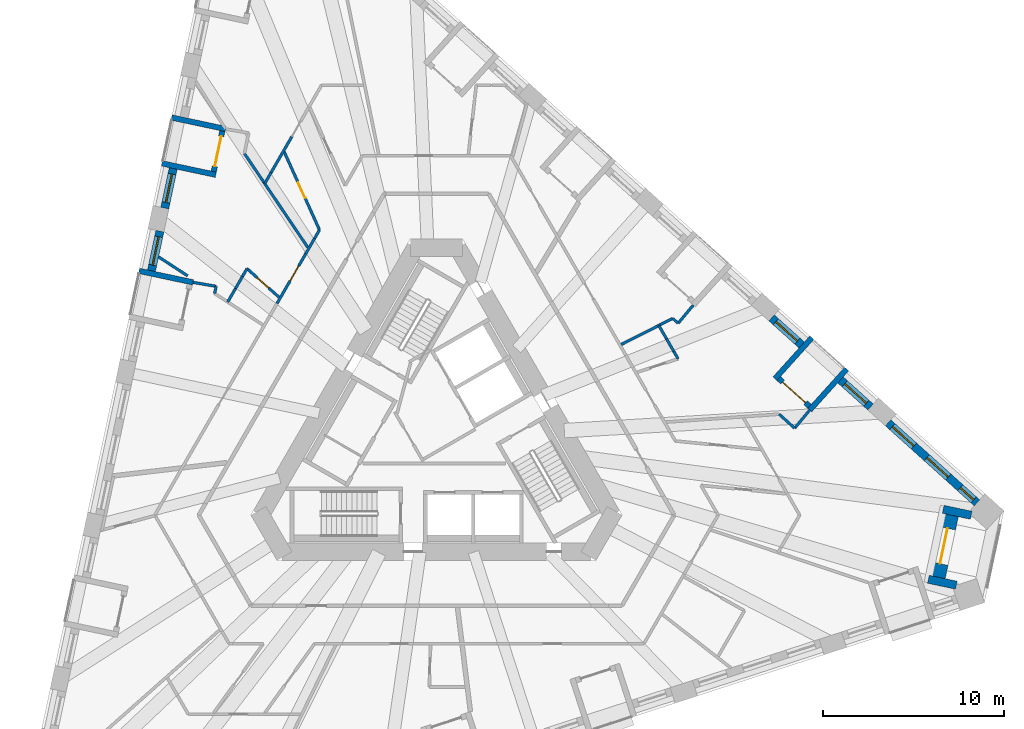
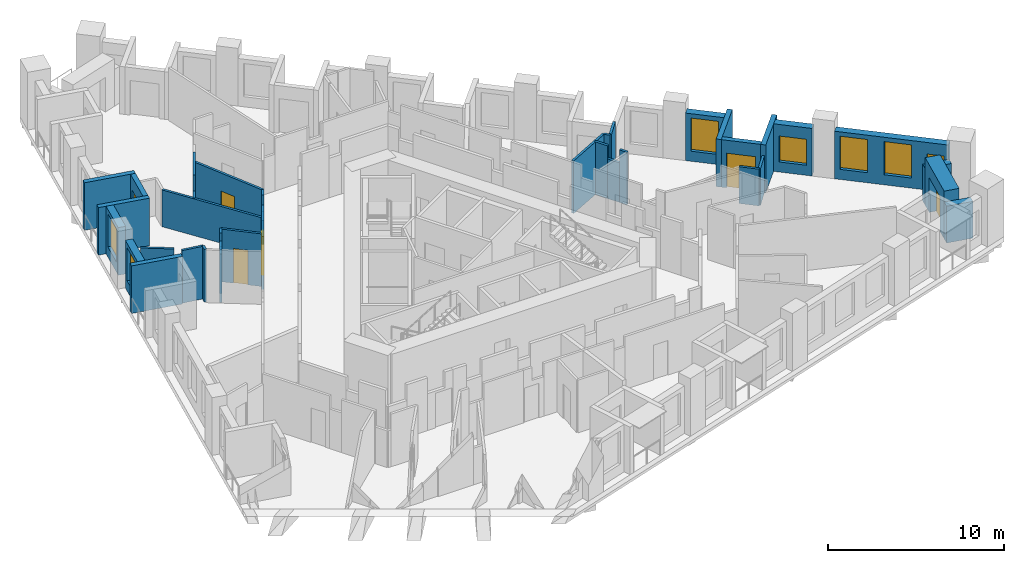
# One storey, part 7 of 13: 37 walls, 7 windows, 6 doors, 13 openings.
"""IFC4 building model written with IfcOpenShell, lengths in metres."""

from ifc_helpers import new_model, si_unit, direction, frame, frame_2d, origin, place, context, subcontext, project, spatial, rectangle, extrude, material, layer, layer_set, type_object, element, fill, save


model = new_model("IFC4")

# Units and contexts
model_context = context("Model", 3, precision=1e-05, world=origin(), true_north=direction((0.0, 1.0)))
body_context = subcontext(model_context, "Body", "Model", "MODEL_VIEW")
ifc_project = project(units=[si_unit("LENGTHUNIT", "METRE"), si_unit("AREAUNIT", "SQUARE_METRE"), si_unit("VOLUMEUNIT", "CUBIC_METRE"), si_unit("PLANEANGLEUNIT", "RADIAN"), si_unit("MASSUNIT", "GRAM", prefix="KILO")], contexts=[model_context])

# Site, building, storey
site_placement = place(None, origin())
site = spatial("IfcSite", under=ifc_project, at=site_placement, CompositionType="ELEMENT")
building_placement = place(site_placement, origin())
building = spatial("IfcBuilding", under=site, at=building_placement, Name="Tramontana Tower", CompositionType="ELEMENT")
storey_placement = place(building_placement, frame((0.0, 0.0, 104.39990234375)))
storey = spatial("IfcBuildingStorey", under=building, at=storey_placement, Name="L23", CompositionType="ELEMENT", Elevation=104.39990234375)

# Wall, opening, window
ifc_material_1 = material(Name="Precast concrete 60 MPa", Category="concrete")
ifc_layer_1 = layer(ifc_material_1, 0.449951171875)
ifc_layer_set_1 = layer_set([ifc_layer_1], Name="Precast concrete 60 MPa, 450 mm")
wall_type_1 = type_object("IfcWallType", Name="EW1 Stone-faced precast wall 450", PredefinedType="SOLIDWALL", material=ifc_layer_set_1)
wall_1_placement = place(storey_placement, frame((-14.545654296875, 14.896728515625, 0.0), z_axis=(0.0, 0.0, 1.0), x_axis=(-0.207941001029, -0.978141370197, 0.0)))
wall_1 = element("IfcWall", 1, at=wall_1_placement, inside=storey, type_object=wall_type_1, Name="External wall L23 face 0 bay 2", PredefinedType="SOLIDWALL", context=body_context, shape_type="SweptSolid", body=[
    extrude(rectangle(XDim=2.236572265625, YDim=0.449951171875, at=frame_2d((1.1181640625, 0.0))), origin(), (0.0, 0.0, 1.0), 3.300048828125),
])
opening_1_placement = place(wall_1_placement, frame((0.318359375, 0.0, 0.699951171875)))
opening_1 = element("IfcOpeningElement", 2, at=opening_1_placement, cuts=wall_1, Name="Opening M1", PredefinedType="OPENING", context=body_context, shape_type="SweptSolid", body=[
    extrude(rectangle(XDim=1.60009765625, YDim=2.300048828125, at=frame_2d((0.800048828125, 1.14990234375))), frame((0.0, 0.23486328125, 0.0), z_axis=(0.0, -1.0, 0.0), x_axis=(1.0, 0.0, 0.0)), (0.0, 0.0, 1.0), 0.469970703125),
])
ifc_material_2 = material(Name="Aluminum frame, double glazing unit", Category="aluminium")
window_type_1 = type_object("IfcWindowType", Name="M1 Window 1.6 x 2.3", PartitioningType="SINGLE_PANEL", PredefinedType="WINDOW", material=ifc_material_2)
window_1_placement = place(opening_1_placement, origin())
window_1 = element("IfcWindow", 3, at=window_1_placement, inside=storey, type_object=window_type_1, Name="Window M1 L23 face 0 module 6", OverallHeight=2.300048828125, OverallWidth=1.60009765625, PartitioningType="SINGLE_PANEL", PredefinedType="WINDOW", context=body_context, shape_type="SweptSolid", body=[
    extrude(rectangle(XDim=1.60009765625, YDim=2.300048828125, at=frame_2d((0.800048828125, 1.14990234375))), frame((0.0, 0.030029296875, 0.0), z_axis=(0.0, -1.0, 0.0), x_axis=(1.0, 0.0, 0.0)), (0.0, 0.0, 1.0), 0.06005859375),
])
fill(opening_1, window_1)

wall_2_placement = place(storey_placement, frame((-15.281005859375, 11.437255859375, 0.0), z_axis=(0.0, 0.0, 1.0), x_axis=(-0.207941001029, -0.978141370197, 0.0)))
wall_2 = element("IfcWall", 4, at=wall_2_placement, inside=storey, type_object=wall_type_1, Name="External wall L23 face 0 bay 3", PredefinedType="SOLIDWALL", context=body_context, shape_type="SweptSolid", body=[
    extrude(rectangle(XDim=2.236572265625, YDim=0.449951171875, at=frame_2d((1.1181640625, 0.0))), origin(), (0.0, 0.0, 1.0), 3.300048828125),
])
opening_2_placement = place(wall_2_placement, frame((0.318359375, 0.0, 0.699951171875)))
opening_2 = element("IfcOpeningElement", 5, at=opening_2_placement, cuts=wall_2, Name="Opening M1", PredefinedType="OPENING", context=body_context, shape_type="SweptSolid", body=[
    extrude(rectangle(XDim=1.60009765625, YDim=2.300048828125, at=frame_2d((0.800048828125, 1.14990234375))), frame((0.0, 0.23486328125, 0.0), z_axis=(0.0, -1.0, 0.0), x_axis=(1.0, 0.0, 0.0)), (0.0, 0.0, 1.0), 0.469970703125),
])
window_2_placement = place(opening_2_placement, origin())
window_2 = element("IfcWindow", 6, at=window_2_placement, inside=storey, type_object=window_type_1, Name="Window M1 L23 face 0 module 7", OverallHeight=2.300048828125, OverallWidth=1.60009765625, PartitioningType="SINGLE_PANEL", PredefinedType="WINDOW", context=body_context, shape_type="SweptSolid", body=[
    extrude(rectangle(XDim=1.60009765625, YDim=2.300048828125, at=frame_2d((0.800048828125, 1.14990234375))), frame((0.0, 0.030029296875, 0.0), z_axis=(0.0, -1.0, 0.0), x_axis=(1.0, 0.0, 0.0)), (0.0, 0.0, 1.0), 0.06005859375),
])
fill(opening_2, window_2)

# Wall, openings, windows
wall_3_placement = place(storey_placement, frame((29.85986328125, -3.57275390625, 0.0), z_axis=(0.0, 0.0, 1.0), x_axis=(-0.743161908204, 0.669111633582, 0.0)))
wall_3 = element("IfcWall", 7, at=wall_3_placement, inside=storey, type_object=wall_type_1, Name="External wall L23 face 2 bay 1", PredefinedType="SOLIDWALL", context=body_context, shape_type="SweptSolid", body=[
    extrude(rectangle(XDim=6.6103515625, YDim=0.449951171875, at=frame_2d((3.30517578125, 0.0))), origin(), (0.0, 0.0, 1.0), 3.300048828125),
])
opening_3_placement = place(wall_3_placement, frame((0.243408203125, 0.0, 0.699951171875)))
opening_3 = element("IfcOpeningElement", 8, at=opening_3_placement, cuts=wall_3, Name="Opening N1L", PredefinedType="OPENING", context=body_context, shape_type="SweptSolid", body=[
    extrude(rectangle(XDim=1.0, YDim=1.800048828125, at=frame_2d((0.5, 0.89990234375))), frame((0.0, 0.23486328125, 0.0), z_axis=(0.0, -1.0, 0.0), x_axis=(1.0, 0.0, 0.0)), (0.0, 0.0, 1.0), 0.469970703125),
])
opening_4_placement = place(wall_3_placement, frame((2.130126953125, 0.0, 0.699951171875)))
opening_4 = element("IfcOpeningElement", 9, at=opening_4_placement, cuts=wall_3, Name="Opening M1", PredefinedType="OPENING", context=body_context, shape_type="SweptSolid", body=[
    extrude(rectangle(XDim=1.60009765625, YDim=2.300048828125, at=frame_2d((0.800048828125, 1.14990234375))), frame((0.0, 0.23486328125, 0.0), z_axis=(0.0, -1.0, 0.0), x_axis=(1.0, 0.0, 0.0)), (0.0, 0.0, 1.0), 0.469970703125),
])
opening_5_placement = place(wall_3_placement, frame((4.69189453125, 0.0, 0.699951171875)))
opening_5 = element("IfcOpeningElement", 10, at=opening_5_placement, cuts=wall_3, Name="Opening M1", PredefinedType="OPENING", context=body_context, shape_type="SweptSolid", body=[
    extrude(rectangle(XDim=1.60009765625, YDim=2.300048828125, at=frame_2d((0.800048828125, 1.14990234375))), frame((0.0, 0.23486328125, 0.0), z_axis=(0.0, -1.0, 0.0), x_axis=(1.0, 0.0, 0.0)), (0.0, 0.0, 1.0), 0.469970703125),
])
window_3_placement = place(opening_4_placement, origin())
window_3 = element("IfcWindow", 11, at=window_3_placement, inside=storey, type_object=window_type_1, Name="Window M1 L23 face 2 module 2", OverallHeight=2.300048828125, OverallWidth=1.60009765625, PartitioningType="SINGLE_PANEL", PredefinedType="WINDOW", context=body_context, shape_type="SweptSolid", body=[
    extrude(rectangle(XDim=1.60009765625, YDim=2.300048828125, at=frame_2d((0.800048828125, 1.14990234375))), frame((0.0, 0.030029296875, 0.0), z_axis=(0.0, -1.0, 0.0), x_axis=(1.0, 0.0, 0.0)), (0.0, 0.0, 1.0), 0.06005859375),
])
fill(opening_4, window_3)
window_4_placement = place(opening_5_placement, origin())
window_4 = element("IfcWindow", 12, at=window_4_placement, inside=storey, type_object=window_type_1, Name="Window M1 L23 face 2 module 3", OverallHeight=2.300048828125, OverallWidth=1.60009765625, PartitioningType="SINGLE_PANEL", PredefinedType="WINDOW", context=body_context, shape_type="SweptSolid", body=[
    extrude(rectangle(XDim=1.60009765625, YDim=2.300048828125, at=frame_2d((0.800048828125, 1.14990234375))), frame((0.0, 0.030029296875, 0.0), z_axis=(0.0, -1.0, 0.0), x_axis=(1.0, 0.0, 0.0)), (0.0, 0.0, 1.0), 0.06005859375),
])
fill(opening_5, window_4)
ifc_material_3 = material(Name="Aluminum frame, double glazing unit", Category="aluminium")
window_type_2 = type_object("IfcWindowType", Name="N1L Window 1 x 1.8", PartitioningType="SINGLE_PANEL", PredefinedType="WINDOW", material=ifc_material_3)
window_5_placement = place(opening_3_placement, origin())
window_5 = element("IfcWindow", 13, at=window_5_placement, inside=storey, type_object=window_type_2, Name="Window N1L L23 face 2 module 1", OverallHeight=1.800048828125, OverallWidth=1.0, PartitioningType="SINGLE_PANEL", PredefinedType="WINDOW", context=body_context, shape_type="SweptSolid", body=[
    extrude(rectangle(XDim=1.0, YDim=1.800048828125, at=frame_2d((0.5, 0.89990234375))), frame((0.0, 0.030029296875, 0.0), z_axis=(0.0, -1.0, 0.0), x_axis=(1.0, 0.0, 0.0)), (0.0, 0.0, 1.0), 0.06005859375),
])
fill(opening_3, window_5)

# Wall, opening, window
wall_4_placement = place(storey_placement, frame((23.981201171875, 1.72021484375, 0.0), z_axis=(0.0, 0.0, 1.0), x_axis=(-0.743142151309, 0.669133576311, 0.0)))
wall_4 = element("IfcWall", 14, at=wall_4_placement, inside=storey, type_object=wall_type_1, Name="External wall L23 face 2 bay 2", PredefinedType="SOLIDWALL", context=body_context, shape_type="SweptSolid", body=[
    extrude(rectangle(XDim=2.236572265625, YDim=0.449951171875, at=frame_2d((1.1181640625, 0.0))), origin(), (0.0, 0.0, 1.0), 3.300048828125),
])
opening_6_placement = place(wall_4_placement, frame((0.318359375, 0.0, 0.699951171875)))
opening_6 = element("IfcOpeningElement", 15, at=opening_6_placement, cuts=wall_4, Name="Opening M1L", PredefinedType="OPENING", context=body_context, shape_type="SweptSolid", body=[
    extrude(rectangle(XDim=1.60009765625, YDim=1.800048828125, at=frame_2d((0.800048828125, 0.89990234375))), frame((0.0, 0.23486328125, 0.0), z_axis=(0.0, -1.0, 0.0), x_axis=(1.0, 0.0, 0.0)), (0.0, 0.0, 1.0), 0.469970703125),
])
ifc_material_4 = material(Name="Aluminum frame, double glazing unit", Category="aluminium")
window_type_3 = type_object("IfcWindowType", Name="M1L Window 1.6 x 1.8", PartitioningType="SINGLE_PANEL", PredefinedType="WINDOW", material=ifc_material_4)
window_6_placement = place(opening_6_placement, origin())
window_6 = element("IfcWindow", 16, at=window_6_placement, inside=storey, type_object=window_type_3, Name="Window M1L L23 face 2 module 4", OverallHeight=1.800048828125, OverallWidth=1.60009765625, PartitioningType="SINGLE_PANEL", PredefinedType="WINDOW", context=body_context, shape_type="SweptSolid", body=[
    extrude(rectangle(XDim=1.60009765625, YDim=1.800048828125, at=frame_2d((0.800048828125, 0.89990234375))), frame((0.0, 0.030029296875, 0.0), z_axis=(0.0, -1.0, 0.0), x_axis=(1.0, 0.0, 0.0)), (0.0, 0.0, 1.0), 0.06005859375),
])
fill(opening_6, window_6)

wall_5_placement = place(storey_placement, frame((20.173828125, 5.1484375, 0.0), z_axis=(0.0, 0.0, 1.0), x_axis=(-0.743136746477, 0.669139578889, 0.0)))
wall_5 = element("IfcWall", 17, at=wall_5_placement, inside=storey, type_object=wall_type_1, Name="External wall L23 face 2 bay 2", PredefinedType="SOLIDWALL", context=body_context, shape_type="SweptSolid", body=[
    extrude(rectangle(XDim=2.237060546875, YDim=0.449951171875, at=frame_2d((1.11865234375, 0.0))), origin(), (0.0, 0.0, 1.0), 3.300048828125),
])
opening_7_placement = place(wall_5_placement, frame((0.318359375, 0.0, 0.699951171875)))
opening_7 = element("IfcOpeningElement", 18, at=opening_7_placement, cuts=wall_5, Name="Opening M1", PredefinedType="OPENING", context=body_context, shape_type="SweptSolid", body=[
    extrude(rectangle(XDim=1.60009765625, YDim=2.300048828125, at=frame_2d((0.800048828125, 1.14990234375))), frame((0.0, 0.23486328125, 0.0), z_axis=(0.0, -1.0, 0.0), x_axis=(1.0, 0.0, 0.0)), (0.0, 0.0, 1.0), 0.469970703125),
])
window_7_placement = place(opening_7_placement, origin())
window_7 = element("IfcWindow", 19, at=window_7_placement, inside=storey, type_object=window_type_1, Name="Window M1 L23 face 2 module 6", OverallHeight=2.300048828125, OverallWidth=1.60009765625, PartitioningType="SINGLE_PANEL", PredefinedType="WINDOW", context=body_context, shape_type="SweptSolid", body=[
    extrude(rectangle(XDim=1.60009765625, YDim=2.300048828125, at=frame_2d((0.800048828125, 1.14990234375))), frame((0.0, 0.030029296875, 0.0), z_axis=(0.0, -1.0, 0.0), x_axis=(1.0, 0.0, 0.0)), (0.0, 0.0, 1.0), 0.06005859375),
])
fill(opening_7, window_7)

# Walls
for number, where, z_axis, x_axis, name in (
    (20, (29.5390625, -4.259521484375, 0.0), (0.0, 0.0, 1.0), (-0.978142738706, 0.207934563547, 0.0), "Corner loggia side wall L23 K22l"),
    (21, (28.7177734375, -8.123291015625, 0.0), (0.0, 0.0, 1.0), (-0.978142738706, 0.207934563547, 0.0), "Corner loggia side wall L23 K22r"),
):
    element("IfcWall", number, at=place(storey_placement, frame(where, z_axis=z_axis, x_axis=x_axis)), inside=storey, type_object=wall_type_1, Name=name, PredefinedType="SOLIDWALL", context=body_context, shape_type="SweptSolid", body=[
        extrude(rectangle(XDim=1.5791015625, YDim=0.449951171875, at=frame_2d((0.78955078125, 0.0))), origin(), (0.0, 0.0, 1.0), 2.550048828125),
    ])

# Wall, opening, door
ifc_material_5 = material(Name="Precast concrete 60 MPa", Category="concrete")
ifc_layer_2 = layer(ifc_material_5, 0.89990234375)
ifc_layer_set_2 = layer_set([ifc_layer_2], Name="EW2 Stone-faced corner loggia wall 900")
wall_type_2 = type_object("IfcWallType", Name="EW2 Stone-faced corner loggia wall 900", PredefinedType="SOLIDWALL", material=ifc_layer_set_2)
wall_6_placement = place(storey_placement, frame((28.3876953125, -4.244873046875, 0.0), z_axis=(0.0, 0.0, 1.0), x_axis=(-0.207866264069, -0.978157255385, 0.0)))
wall_6 = element("IfcWall", 22, at=wall_6_placement, inside=storey, type_object=wall_type_2, Name="Corner loggia wall L23 K22", PredefinedType="SOLIDWALL", context=body_context, shape_type="SweptSolid", body=[
    extrude(rectangle(XDim=3.5, YDim=0.89990234375, at=frame_2d((1.75, 0.0))), origin(), (0.0, 0.0, 1.0), 3.300048828125),
])
opening_8_placement = place(wall_6_placement, frame((0.75, 0.0, 0.0)))
opening_8 = element("IfcOpeningElement", 23, at=opening_8_placement, cuts=wall_6, Name="Opening BD-22C", PredefinedType="OPENING", context=body_context, shape_type="SweptSolid", body=[
    extrude(rectangle(XDim=2.0, YDim=2.39990234375, at=frame_2d((1.0, 1.199951171875))), frame((0.0, 0.4599609375, 0.0), z_axis=(0.0, -1.0, 0.0), x_axis=(1.0, 0.0, 0.0)), (0.0, 0.0, 1.0), 0.919921875),
])
ifc_material_6 = material(Name="Aluminum frame, double glazing unit", Category="aluminium")
door_type_1 = type_object("IfcDoorType", Name="BC1 Sliding door 2 x 2.4", OperationType="SLIDING_TO_LEFT", PredefinedType="DOOR", material=ifc_material_6)
door_1_placement = place(opening_8_placement, origin())
door_1 = element("IfcDoor", 24, at=door_1_placement, inside=storey, type_object=door_type_1, Name="Corner loggia door L23 K22", OperationType="SLIDING_TO_LEFT", OverallHeight=2.39990234375, OverallWidth=2.0, PredefinedType="DOOR", context=body_context, shape_type="SweptSolid", body=[
    extrude(rectangle(XDim=2.0, YDim=2.39990234375, at=frame_2d((1.0, 1.199951171875))), frame((0.0, 0.02490234375, 0.0), z_axis=(0.0, -1.0, 0.0), x_axis=(1.0, 0.0, 0.0)), (0.0, 0.0, 1.0), 0.050048828125),
])
fill(opening_8, door_1)

ifc_material_7 = material(Name="Precast concrete 60 MPa", Category="concrete")
ifc_layer_3 = layer(ifc_material_7, 0.300048828125)
ifc_layer_set_3 = layer_set([ifc_layer_3], Name="LW1 Stone-faced loggia wall 300")
wall_type_3 = type_object("IfcWallType", Name="LW1 Stone-faced loggia wall 300", PredefinedType="SOLIDWALL", material=ifc_layer_set_3)
wall_7_placement = place(storey_placement, frame((-11.83154296875, 16.96435546875, 0.0), z_axis=(0.0, 0.0, 1.0), x_axis=(-0.207866417042, -0.978157222877, 0.0)))
wall_7 = element("IfcWall", 25, at=wall_7_placement, inside=storey, type_object=wall_type_3, Name="Loggia wall L23 G2S0.4", PredefinedType="SOLIDWALL", context=body_context, shape_type="SweptSolid", body=[
    extrude(rectangle(XDim=2.286865234375, YDim=0.300048828125, at=frame_2d((1.1435546875, 0.0))), origin(), (0.0, 0.0, 1.0), 3.300048828125),
])
opening_9_placement = place(wall_7_placement, frame((0.29345703125, 0.0, 0.0)))
opening_9 = element("IfcOpeningElement", 26, at=opening_9_placement, cuts=wall_7, Name="Opening BD-2S0-04", PredefinedType="OPENING", context=body_context, shape_type="SweptSolid", body=[
    extrude(rectangle(XDim=1.699951171875, YDim=2.39990234375, at=frame_2d((0.85009765625, 1.199951171875))), frame((0.0, 0.159912109375, 0.0), z_axis=(0.0, -1.0, 0.0), x_axis=(1.0, 0.0, 0.0)), (0.0, 0.0, 1.0), 0.320068359375),
])
ifc_material_8 = material(Name="Aluminum frame, double glazing unit", Category="aluminium")
door_type_2 = type_object("IfcDoorType", Name="BD1 Sliding door 1.7 x 2.4", OperationType="SLIDING_TO_LEFT", PredefinedType="DOOR", material=ifc_material_8)
door_2_placement = place(opening_9_placement, origin())
door_2 = element("IfcDoor", 27, at=door_2_placement, inside=storey, type_object=door_type_2, Name="Loggia door L23 G2S0.4", OperationType="SLIDING_TO_LEFT", OverallHeight=2.39990234375, OverallWidth=1.699951171875, PredefinedType="DOOR", context=body_context, shape_type="SweptSolid", body=[
    extrude(rectangle(XDim=1.699951171875, YDim=2.39990234375, at=frame_2d((0.85009765625, 1.199951171875))), frame((0.0, 0.02490234375, 0.0), z_axis=(0.0, -1.0, 0.0), x_axis=(1.0, 0.0, 0.0)), (0.0, 0.0, 1.0), 0.050048828125),
])
fill(opening_9, door_2)

# Walls
for number, where, z_axis, x_axis, name in (
    (28, (-14.636962890625, 17.714111328125, 0.0), (0.0, 0.0, 1.0), (0.978138503145, -0.207954487003, 0.0), "Loggia return L23 G2S0.4a"),
    (29, (-15.1748046875, 15.183837890625, 0.0), (0.0, 0.0, 1.0), (0.978138503145, -0.207954487003, 0.0), "Loggia return L23 G2S0.4b"),
    (30, (-16.4375, 9.242919921875, 0.0), (0.0, 0.0, 1.0), (0.978154782045, -0.207877902534, 0.0), "Loggia return L23 G2S0.7a"),
):
    element("IfcWall", number, at=place(storey_placement, frame(where, z_axis=z_axis, x_axis=x_axis)), inside=storey, type_object=wall_type_3, Name=name, PredefinedType="SOLIDWALL", context=body_context, shape_type="SweptSolid", body=[
        extrude(rectangle(XDim=3.050048828125, YDim=0.300048828125, at=frame_2d((1.52490234375, 0.0))), origin(), (0.0, 0.0, 1.0), 3.300048828125),
    ])

# Wall, opening, door
wall_8_placement = place(storey_placement, frame((20.607421875, 1.76416015625, 0.0), z_axis=(0.0, 0.0, 1.0), x_axis=(-0.743182653308, 0.669088591909, 0.0)))
wall_8 = element("IfcWall", 31, at=wall_8_placement, inside=storey, type_object=wall_type_3, Name="Loggia wall L23 G2S2.4", PredefinedType="SOLIDWALL", context=body_context, shape_type="SweptSolid", body=[
    extrude(rectangle(XDim=2.28662109375, YDim=0.300048828125, at=frame_2d((1.143310546875, 0.0))), origin(), (0.0, 0.0, 1.0), 3.300048828125),
])
opening_10_placement = place(wall_8_placement, frame((0.29345703125, 0.0, 0.0)))
opening_10 = element("IfcOpeningElement", 32, at=opening_10_placement, cuts=wall_8, Name="Opening BD-2S2-04", PredefinedType="OPENING", context=body_context, shape_type="SweptSolid", body=[
    extrude(rectangle(XDim=1.699951171875, YDim=2.39990234375, at=frame_2d((0.85009765625, 1.199951171875))), frame((0.0, 0.159912109375, 0.0), z_axis=(0.0, -1.0, 0.0), x_axis=(1.0, 0.0, 0.0)), (0.0, 0.0, 1.0), 0.320068359375),
])
door_3_placement = place(opening_10_placement, origin())
door_3 = element("IfcDoor", 33, at=door_3_placement, inside=storey, type_object=door_type_2, Name="Loggia door L23 G2S2.4", OperationType="SLIDING_TO_LEFT", OverallHeight=2.39990234375, OverallWidth=1.699951171875, PredefinedType="DOOR", context=body_context, shape_type="SweptSolid", body=[
    extrude(rectangle(XDim=1.699951171875, YDim=2.39990234375, at=frame_2d((0.85009765625, 1.199951171875))), frame((0.0, 0.02490234375, 0.0), z_axis=(0.0, -1.0, 0.0), x_axis=(1.0, 0.0, 0.0)), (0.0, 0.0, 1.0), 0.050048828125),
])
fill(opening_10, door_3)

# Walls
for number, where, z_axis, x_axis, name in (
    (34, (22.6591796875, 3.81884765625, 0.0), (0.0, 0.0, 1.0), (-0.669115082961, -0.743158802514, 0.0), "Loggia return L23 G2S2.4a"),
    (35, (20.73681640625, 5.5498046875, 0.0), (0.0, 0.0, 1.0), (-0.669115082961, -0.743158802514, 0.0), "Loggia return L23 G2S2.4b"),
):
    element("IfcWall", number, at=place(storey_placement, frame(where, z_axis=z_axis, x_axis=x_axis)), inside=storey, type_object=wall_type_3, Name=name, PredefinedType="SOLIDWALL", context=body_context, shape_type="SweptSolid", body=[
        extrude(rectangle(XDim=3.050048828125, YDim=0.300048828125, at=frame_2d((1.52490234375, 0.0))), origin(), (0.0, 0.0, 1.0), 3.300048828125),
    ])

# Wall, opening, door
ifc_material_9 = material(Name="Gypsum board partition")
ifc_layer_4 = layer(ifc_material_9, 0.14990234375)
ifc_layer_set_4 = layer_set([ifc_layer_4], Name="PARTITION 150")
wall_type_4 = type_object("IfcWallType", Name="PARTITION 150", PredefinedType="PARTITIONING", material=ifc_layer_set_4)
wall_9_placement = place(storey_placement, frame((-8.809326171875, 7.44189453125, 0.0), z_axis=(0.0, 0.0, 1.0), x_axis=(0.500003371769, 0.866023457084, 0.0)))
wall_9 = element("IfcWall", 36, at=wall_9_placement, inside=storey, type_object=wall_type_4, Name="Wall v21-pw02-5", PredefinedType="PARTITIONING", context=body_context, shape_type="SweptSolid", body=[
    extrude(rectangle(XDim=3.15966796875, YDim=0.14990234375, at=frame_2d((1.579833984375, 0.0))), origin(), (0.0, 0.0, 1.0), 3.650146484375),
])
opening_11_placement = place(wall_9_placement, frame((1.43994140625, 0.0, 0.0)))
opening_11 = element("IfcOpeningElement", 37, at=opening_11_placement, cuts=wall_9, Name="Opening B2B-06", PredefinedType="OPENING", context=body_context, shape_type="SweptSolid", body=[
    extrude(rectangle(XDim=0.949951171875, YDim=2.39990234375, at=frame_2d((0.47509765625, 1.199951171875))), frame((0.0, 0.0849609375, 0.0), z_axis=(0.0, -1.0, 0.0), x_axis=(1.0, 0.0, 0.0)), (0.0, 0.0, 1.0), 0.169921875),
])
ifc_material_10 = material(Name="Painted timber", Category="wood")
door_type_3 = type_object("IfcDoorType", Name="DOOR ROOM 950", OperationType="SINGLE_SWING_LEFT", PredefinedType="DOOR", material=ifc_material_10)
door_4_placement = place(opening_11_placement, origin())
door_4 = element("IfcDoor", 38, at=door_4_placement, inside=storey, type_object=door_type_3, Name="Door B2B-06", OperationType="SINGLE_SWING_RIGHT", OverallHeight=2.39990234375, OverallWidth=0.949951171875, PredefinedType="DOOR", context=body_context, shape_type="SweptSolid", body=[
    extrude(rectangle(XDim=0.949951171875, YDim=2.39990234375, at=frame_2d((0.47509765625, 1.199951171875))), frame((0.0, 0.02490234375, 0.0), z_axis=(0.0, -1.0, 0.0), x_axis=(1.0, 0.0, 0.0)), (0.0, 0.0, 1.0), 0.050048828125),
])
fill(opening_11, door_4)

# Walls
wall_10_placement = place(storey_placement, frame((-7.2294921875, 10.17822265625, 0.0), z_axis=(0.0, 0.0, 1.0), x_axis=(0.500082280366, 0.865977893981, 0.0)))
element("IfcWall", 39, at=wall_10_placement, inside=storey, type_object=wall_type_4, Name="Wall v21-pw02-6", PredefinedType="PARTITIONING", context=body_context, shape_type="SweptSolid", body=[
    extrude(rectangle(XDim=0.978759765625, YDim=0.14990234375, at=frame_2d((0.4892578125, 0.0))), origin(), (0.0, 0.0, 1.0), 2.550048828125),
])
wall_11_placement = place(storey_placement, frame((-6.739990234375, 11.02587890625, 0.0), z_axis=(0.0, 0.0, 1.0), x_axis=(0.499990325971, 0.866030989016, 0.0)))
element("IfcWall", 40, at=wall_11_placement, inside=storey, type_object=wall_type_4, Name="Wall v21-pw02-7", PredefinedType="PARTITIONING", context=body_context, shape_type="SweptSolid", body=[
    extrude(rectangle(XDim=0.55224609375, YDim=0.14990234375, at=frame_2d((0.276123046875, 0.0))), origin(), (0.0, 0.0, 1.0), 3.650146484375),
])
wall_12_placement = place(storey_placement, frame((-13.74853515625, 8.968017578125, 0.0), z_axis=(0.0, 0.0, 1.0), x_axis=(-0.837595386073, 0.546291103011, 0.0)))
element("IfcWall", 41, at=wall_12_placement, inside=storey, type_object=wall_type_4, Name="Wall v21-pw04", PredefinedType="PARTITIONING", context=body_context, shape_type="SweptSolid", body=[
    extrude(rectangle(XDim=1.915771484375, YDim=0.14990234375, at=frame_2d((0.9580078125, 0.0))), origin(), (0.0, 0.0, 1.0), 3.650146484375),
])
wall_13_placement = place(storey_placement, frame((-12.255615234375, 7.994140625, 0.0), z_axis=(0.0, 0.0, 1.0), x_axis=(0.207946274886, 0.978140249024, 0.0)))
element("IfcWall", 42, at=wall_13_placement, inside=storey, type_object=wall_type_4, Name="Wall v21-pw07", PredefinedType="PARTITIONING", context=body_context, shape_type="SweptSolid", body=[
    extrude(rectangle(XDim=0.400390625, YDim=0.14990234375, at=frame_2d((0.2001953125, 0.0))), origin(), (0.0, 0.0, 1.0), 3.650146484375),
])
wall_14_placement = place(storey_placement, frame((-12.173828125, 8.38818359375, 0.0), z_axis=(0.0, 0.0, 1.0), x_axis=(-0.985464455429, 0.169881744414, 0.0)))
element("IfcWall", 43, at=wall_14_placement, inside=storey, type_object=wall_type_4, Name="Wall v21-pw08", PredefinedType="PARTITIONING", context=body_context, shape_type="SweptSolid", body=[
    extrude(rectangle(XDim=1.299072265625, YDim=0.14990234375, at=frame_2d((0.6494140625, 0.0))), origin(), (0.0, 0.0, 1.0), 3.650146484375),
])
wall_15_placement = place(storey_placement, frame((-11.53271484375, 7.52490234375, 0.0), z_axis=(0.0, 0.0, 1.0), x_axis=(0.500068347527, 0.865985939725, 0.0)))
element("IfcWall", 44, at=wall_15_placement, inside=storey, type_object=wall_type_4, Name="Wall v21-pw11-0", PredefinedType="PARTITIONING", context=body_context, shape_type="SweptSolid", body=[
    extrude(rectangle(XDim=0.85546875, YDim=0.14990234375, at=frame_2d((0.427734375, 0.0))), origin(), (0.0, 0.0, 1.0), 3.650146484375),
])
wall_16_placement = place(storey_placement, frame((-11.10498046875, 8.265625, 0.0), z_axis=(0.0, 0.0, 1.0), x_axis=(0.500028278809, 0.866009076391, 0.0)))
element("IfcWall", 45, at=wall_16_placement, inside=storey, type_object=wall_type_4, Name="Wall v21-pw11-1", PredefinedType="PARTITIONING", context=body_context, shape_type="SweptSolid", body=[
    extrude(rectangle(XDim=0.783203125, YDim=0.14990234375, at=frame_2d((0.3916015625, 0.0))), origin(), (0.0, 0.0, 1.0), 2.75),
])
wall_17_placement = place(storey_placement, frame((-10.71337890625, 8.94384765625, 0.0), z_axis=(0.0, 0.0, 1.0), x_axis=(0.500095379624, 0.865970329329, 0.0)))
element("IfcWall", 46, at=wall_17_placement, inside=storey, type_object=wall_type_4, Name="Wall v21-pw11-2", PredefinedType="PARTITIONING", context=body_context, shape_type="SweptSolid", body=[
    extrude(rectangle(XDim=0.4912109375, YDim=0.14990234375, at=frame_2d((0.24560546875, 0.0))), origin(), (0.0, 0.0, 1.0), 3.650146484375),
])

# Wall, opening, door
wall_18_placement = place(storey_placement, frame((-8.69775390625, 7.784912109375, 0.0), z_axis=(0.0, 0.0, 1.0), x_axis=(-0.745131095097, 0.666918024288, 0.0)))
wall_18 = element("IfcWall", 47, at=wall_18_placement, inside=storey, type_object=wall_type_4, Name="Wall v21-pw14", PredefinedType="PARTITIONING", context=body_context, shape_type="SweptSolid", body=[
    extrude(rectangle(XDim=2.37548828125, YDim=0.14990234375, at=frame_2d((1.187744140625, 0.0))), origin(), (0.0, 0.0, 1.0), 3.650146484375),
])
opening_12_placement = place(wall_18_placement, frame((0.7626953125, 0.0, 0.0)))
opening_12 = element("IfcOpeningElement", 48, at=opening_12_placement, cuts=wall_18, Name="Opening B2B-09", PredefinedType="OPENING", context=body_context, shape_type="SweptSolid", body=[
    extrude(rectangle(XDim=0.85009765625, YDim=2.39990234375, at=frame_2d((0.425048828125, 1.199951171875))), frame((0.0, 0.0849609375, 0.0), z_axis=(0.0, -1.0, 0.0), x_axis=(1.0, 0.0, 0.0)), (0.0, 0.0, 1.0), 0.169921875),
])
ifc_material_11 = material(Name="Painted timber", Category="wood")
door_type_4 = type_object("IfcDoorType", Name="DOOR BATH 850", OperationType="SINGLE_SWING_LEFT", PredefinedType="DOOR", material=ifc_material_11)
door_5_placement = place(opening_12_placement, origin())
door_5 = element("IfcDoor", 49, at=door_5_placement, inside=storey, type_object=door_type_4, Name="Door B2B-09", OperationType="SINGLE_SWING_LEFT", OverallHeight=2.39990234375, OverallWidth=0.85009765625, PredefinedType="DOOR", context=body_context, shape_type="SweptSolid", body=[
    extrude(rectangle(XDim=0.85009765625, YDim=2.39990234375, at=frame_2d((0.425048828125, 1.199951171875))), frame((0.0, 0.02490234375, 0.0), z_axis=(0.0, -1.0, 0.0), x_axis=(1.0, 0.0, 0.0)), (0.0, 0.0, 1.0), 0.050048828125),
])
fill(opening_12, door_5)

# Walls
wall_19_placement = place(storey_placement, frame((-9.4873046875, 14.0673828125, 0.0), z_axis=(0.0, 0.0, 1.0), x_axis=(0.499844169366, 0.866115353951, 0.0)))
element("IfcWall", 50, at=wall_19_placement, inside=storey, type_object=wall_type_4, Name="Wall v21-pw18-0", PredefinedType="PARTITIONING", context=body_context, shape_type="SweptSolid", body=[
    extrude(rectangle(XDim=0.694580078125, YDim=0.14990234375, at=frame_2d((0.34716796875, 0.0))), origin(), (0.0, 0.0, 1.0), 2.550048828125),
])
wall_20_placement = place(storey_placement, frame((-9.14013671875, 14.6689453125, 0.0), z_axis=(0.0, 0.0, 1.0), x_axis=(0.500030411023, 0.86600784526, 0.0)))
element("IfcWall", 51, at=wall_20_placement, inside=storey, type_object=wall_type_4, Name="Wall v21-pw18-1", PredefinedType="PARTITIONING", context=body_context, shape_type="SweptSolid", body=[
    extrude(rectangle(XDim=2.287353515625, YDim=0.14990234375, at=frame_2d((1.1435546875, 0.0))), origin(), (0.0, 0.0, 1.0), 3.650146484375),
])
wall_21_placement = place(storey_placement, frame((-7.10888671875, 10.536865234375, 0.0), z_axis=(0.0, 0.0, 1.0), x_axis=(-0.559306796717, 0.828960739207, 0.0)))
element("IfcWall", 52, at=wall_21_placement, inside=storey, type_object=wall_type_4, Name="Wall v21-pw23-0", PredefinedType="PARTITIONING", context=body_context, shape_type="SweptSolid", body=[
    extrude(rectangle(XDim=6.262451171875, YDim=0.14990234375, at=frame_2d((3.13134765625, 0.0))), origin(), (0.0, 0.0, 1.0), 2.550048828125),
])

# Wall, opening, door
wall_22_placement = place(storey_placement, frame((-6.4638671875, 11.506103515625, 0.0), z_axis=(0.0, 0.0, 1.0), x_axis=(-0.411930406863, 0.911215309299, 0.0)))
wall_22 = element("IfcWall", 53, at=wall_22_placement, inside=storey, type_object=wall_type_4, Name="Wall v21-pw26", PredefinedType="PARTITIONING", context=body_context, shape_type="SweptSolid", body=[
    extrude(rectangle(XDim=4.7958984375, YDim=0.14990234375, at=frame_2d((2.39794921875, 0.0))), origin(), (0.0, 0.0, 1.0), 3.650146484375),
])
opening_13_placement = place(wall_22_placement, frame((1.923095703125, 0.0, 0.0)))
opening_13 = element("IfcOpeningElement", 54, at=opening_13_placement, cuts=wall_22, Name="Opening B2B-01", PredefinedType="OPENING", context=body_context, shape_type="SweptSolid", body=[
    extrude(rectangle(XDim=0.949951171875, YDim=2.39990234375, at=frame_2d((0.47509765625, 1.199951171875))), frame((0.0, 0.0849609375, 0.0), z_axis=(0.0, -1.0, 0.0), x_axis=(1.0, 0.0, 0.0)), (0.0, 0.0, 1.0), 0.169921875),
])
door_6_placement = place(opening_13_placement, origin())
door_6 = element("IfcDoor", 55, at=door_6_placement, inside=storey, type_object=door_type_3, Name="Door B2B-01", OperationType="SINGLE_SWING_LEFT", OverallHeight=2.39990234375, OverallWidth=0.949951171875, PredefinedType="DOOR", context=body_context, shape_type="SweptSolid", body=[
    extrude(rectangle(XDim=0.949951171875, YDim=2.39990234375, at=frame_2d((0.47509765625, 1.199951171875))), frame((0.0, 0.02490234375, 0.0), z_axis=(0.0, -1.0, 0.0), x_axis=(1.0, 0.0, 0.0)), (0.0, 0.0, 1.0), 0.050048828125),
])
fill(opening_13, door_6)

# Walls
wall_23_placement = place(storey_placement, frame((10.205322265625, 5.173828125, 0.0), z_axis=(0.0, 0.0, 1.0), x_axis=(0.891918503976, 0.452196176748, 0.0)))
element("IfcWall", 56, at=wall_23_placement, inside=storey, type_object=wall_type_4, Name="Wall v21-pw43", PredefinedType="PARTITIONING", context=body_context, shape_type="SweptSolid", body=[
    extrude(rectangle(XDim=3.190185546875, YDim=0.14990234375, at=frame_2d((1.59521484375, 0.0))), origin(), (0.0, 0.0, 1.0), 3.650146484375),
])
wall_24_placement = place(storey_placement, frame((12.28369140625, 6.22412109375, 0.0), z_axis=(0.0, 0.0, 1.0), x_axis=(0.499920397431, -0.866071357471, 0.0)))
element("IfcWall", 57, at=wall_24_placement, inside=storey, type_object=wall_type_4, Name="Wall v21-pw45-0", PredefinedType="PARTITIONING", context=body_context, shape_type="SweptSolid", body=[
    extrude(rectangle(XDim=0.854248046875, YDim=0.14990234375, at=frame_2d((0.42724609375, 0.0))), origin(), (0.0, 0.0, 1.0), 3.650146484375),
])
wall_25_placement = place(storey_placement, frame((12.710693359375, 5.484375, 0.0), z_axis=(0.0, 0.0, 1.0), x_axis=(0.500028278809, -0.866009076391, 0.0)))
element("IfcWall", 58, at=wall_25_placement, inside=storey, type_object=wall_type_4, Name="Wall v21-pw45-1", PredefinedType="PARTITIONING", context=body_context, shape_type="SweptSolid", body=[
    extrude(rectangle(XDim=0.783203125, YDim=0.14990234375, at=frame_2d((0.3916015625, 0.0))), origin(), (0.0, 0.0, 1.0), 2.75),
])
wall_26_placement = place(storey_placement, frame((13.102294921875, 4.80615234375, 0.0), z_axis=(0.0, 0.0, 1.0), x_axis=(0.500095379624, -0.865970329329, 0.0)))
element("IfcWall", 59, at=wall_26_placement, inside=storey, type_object=wall_type_4, Name="Wall v21-pw45-2", PredefinedType="PARTITIONING", context=body_context, shape_type="SweptSolid", body=[
    extrude(rectangle(XDim=0.4912109375, YDim=0.14990234375, at=frame_2d((0.24560546875, 0.0))), origin(), (0.0, 0.0, 1.0), 3.650146484375),
])
wall_27_placement = place(storey_placement, frame((13.051025390625, 6.616455078125, 0.0), z_axis=(0.0, 0.0, 1.0), x_axis=(0.74305142208, -0.669234326783, 0.0)))
element("IfcWall", 60, at=wall_27_placement, inside=storey, type_object=wall_type_4, Name="Wall v21-pw47", PredefinedType="PARTITIONING", context=body_context, shape_type="SweptSolid", body=[
    extrude(rectangle(XDim=0.400146484375, YDim=0.14990234375, at=frame_2d((0.2001953125, 0.0))), origin(), (0.0, 0.0, 1.0), 3.650146484375),
])
wall_28_placement = place(storey_placement, frame((13.351318359375, 6.348876953125, 0.0), z_axis=(0.0, 0.0, 1.0), x_axis=(0.639907081841, 0.768452292995, 0.0)))
element("IfcWall", 61, at=wall_28_placement, inside=storey, type_object=wall_type_4, Name="Wall v21-pw50", PredefinedType="PARTITIONING", context=body_context, shape_type="SweptSolid", body=[
    extrude(rectangle(XDim=1.299072265625, YDim=0.14990234375, at=frame_2d((0.6494140625, 0.0))), origin(), (0.0, 0.0, 1.0), 3.650146484375),
])
wall_29_placement = place(storey_placement, frame((18.927001953125, 1.32568359375, 0.0), z_axis=(0.0, 0.0, 1.0), x_axis=(0.743073109926, -0.669210245966, 0.0)))
element("IfcWall", 62, at=wall_29_placement, inside=storey, type_object=wall_type_4, Name="Wall v21-pw57-0", PredefinedType="PARTITIONING", context=body_context, shape_type="SweptSolid", body=[
    extrude(rectangle(XDim=1.153564453125, YDim=0.14990234375, at=frame_2d((0.57666015625, 0.0))), origin(), (0.0, 0.0, 1.0), 2.550048828125),
])
wall_30_placement = place(storey_placement, frame((19.787109375, 0.553955078125, 0.0), z_axis=(0.0, 0.0, 1.0), x_axis=(0.639907081841, 0.768452292995, 0.0)))
element("IfcWall", 63, at=wall_30_placement, inside=storey, type_object=wall_type_4, Name="Wall v21-pw59-0", PredefinedType="PARTITIONING", context=body_context, shape_type="SweptSolid", body=[
    extrude(rectangle(XDim=1.299072265625, YDim=0.14990234375, at=frame_2d((0.6494140625, 0.0))), origin(), (0.0, 0.0, 1.0), 2.550048828125),
])

save(model, "model.ifc")
